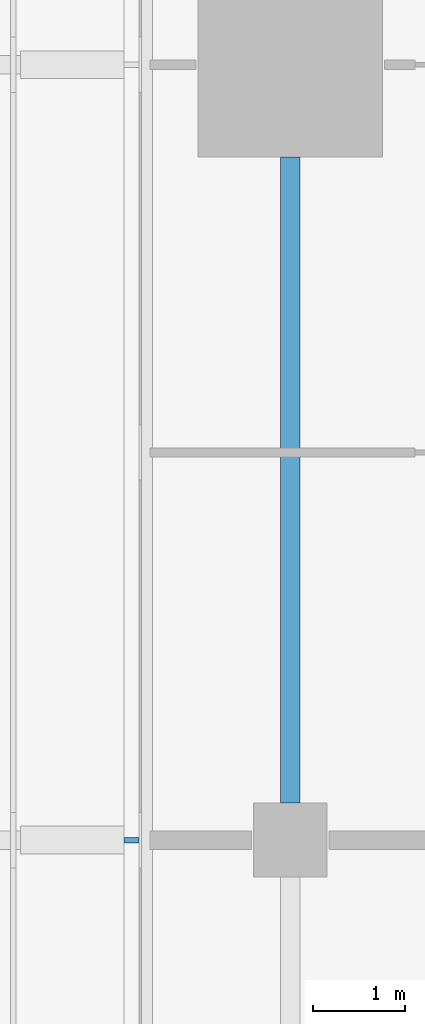
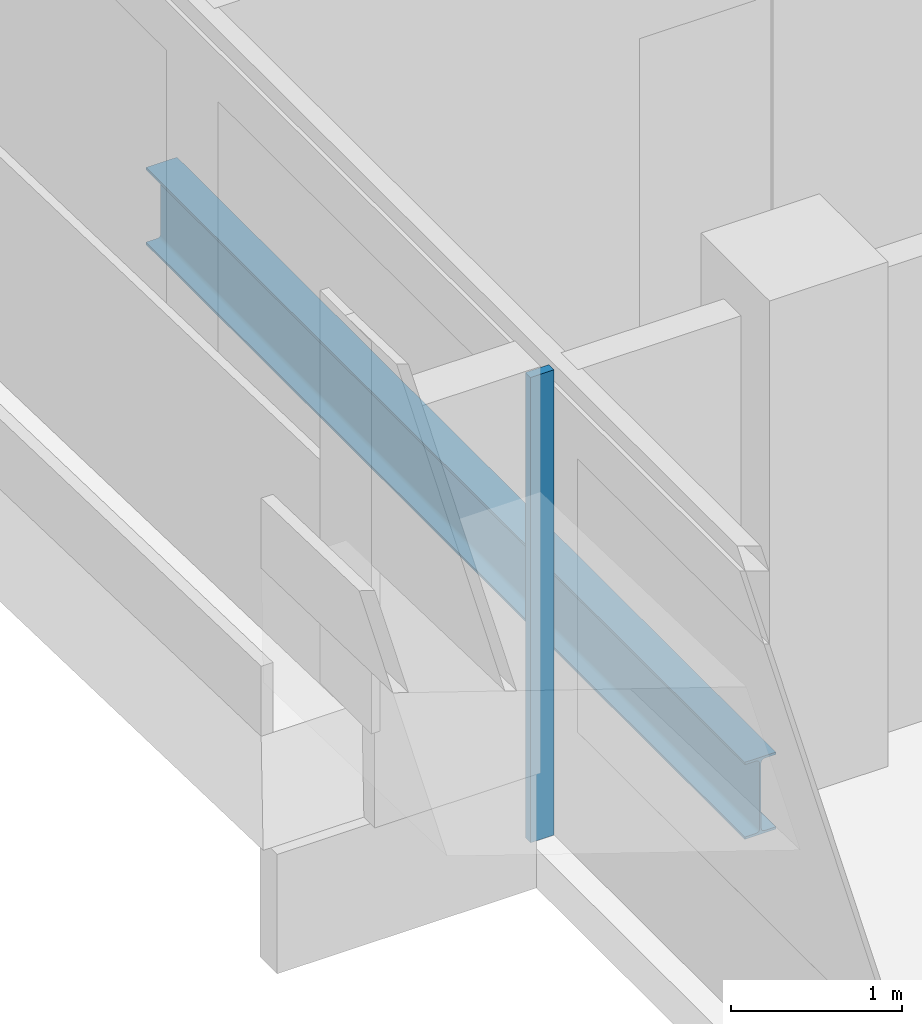
# One storey, part 4 of 27: 1 beam, 1 member, 1 element without a shape of its own.
"""IFC4 building model written with IfcOpenShell, lengths in metres."""

from ifc_helpers import new_model, si_unit, direction, frame, origin, origin_2d, place, context, subcontext, project, spatial, rectangle, i_section, extrude, material, material_profile, profile_set, type_object, element, aggregate, save


model = new_model("IFC4")

# Units and contexts
model_context = context("Model", 3, precision=1e-05, world=origin(), true_north=direction((0.0, 1.0)))
body_context = subcontext(model_context, "Body", "Model", "MODEL_VIEW")
ifc_project = project(units=[si_unit("LENGTHUNIT", "METRE"), si_unit("AREAUNIT", "SQUARE_METRE"), si_unit("VOLUMEUNIT", "CUBIC_METRE"), si_unit("PLANEANGLEUNIT", "RADIAN"), si_unit("MASSUNIT", "GRAM", prefix="KILO")], contexts=[model_context])

# Site, building, storey
site_placement = place(None, origin())
site = spatial("IfcSite", under=ifc_project, at=site_placement, CompositionType="ELEMENT")
building_placement = place(site_placement, origin())
building = spatial("IfcBuilding", under=site, at=building_placement, Name="Saffron Gate Tower", CompositionType="ELEMENT")
storey_placement = place(building_placement, frame((0.0, 0.0, 109.64990234375)))
storey = spatial("IfcBuildingStorey", under=building, at=storey_placement, Name="L25", CompositionType="ELEMENT", Elevation=109.64990234375)

# Beam
ifc_material_1 = material(Name="Structural steel S355", Category="steel")
ifc_material_profile_1 = material_profile(ifc_material_1, i_section(OverallWidth=0.2099609375, OverallDepth=0.550048828125, WebThickness=0.010986328125, FlangeThickness=0.01708984375, FilletRadius=0.02392578125, at=origin_2d()))
ifc_profile_set_1 = profile_set([ifc_material_profile_1], Name="Structural steel S355")
beam_type = type_object("IfcBeamType", Name="B13 IPE 550", PredefinedType="SPANDREL", material=ifc_profile_set_1)
beam_placement = place(storey_placement, frame((49.800048828125, 57.39990234375, -0.554931640625), z_axis=(0.0, 1.0, 0.0), x_axis=(-1.0, 0.0, 0.0)))
element("IfcBeam", 1, at=beam_placement, inside=storey, type_object=beam_type, Name="B13 SPANDREL BEAM", PredefinedType="SPANDREL", context=body_context, shape_type="SweptSolid", body=[
    extrude(i_section(OverallWidth=0.2099609375, OverallDepth=0.550048828125, WebThickness=0.010986328125, FlangeThickness=0.01708984375, FilletRadius=0.02392578125, at=origin_2d()), origin(), (0.0, 0.0, 1.0), 7.0),
])

# Curtain wall, member
ifc_material_2 = material(Name="Aluminium, bronze anodised", Category="aluminium")
curtain_wall_type = type_object("IfcCurtainWallType", Name="CWS2 curtain wall side facades", PredefinedType="NOTDEFINED", material=ifc_material_2)
curtain_wall_placement = place(storey_placement, origin())
curtain_wall = element("IfcCurtainWall", 2, at=curtain_wall_placement, inside=storey, type_object=curtain_wall_type, Name="CWS2 run 10", PredefinedType="NOTDEFINED")
ifc_material_profile_2 = material_profile(ifc_material_2, rectangle(XDim=0.159912109375, YDim=0.06005859375, at=origin_2d()))
ifc_profile_set_2 = profile_set([ifc_material_profile_2], Name="Aluminium, bronze anodised")
member_type = type_object("IfcMemberType", Name="CWS2 mullion 60x160", PredefinedType="MULLION", material=ifc_profile_set_2)
member_placement = place(storey_placement, frame((48.080078125, 57.0, 0.0), z_axis=(0.0, 0.0, 1.0), x_axis=(1.0, 0.0, 0.0)))
member = element("IfcMember", 3, at=member_placement, type_object=member_type, Name="CWS2 mullion 3", PredefinedType="MULLION", context=body_context, shape_type="SweptSolid", body=[
    extrude(rectangle(XDim=0.159912109375, YDim=0.06005859375, at=origin_2d()), origin(), (0.0, 0.0, 1.0), 3.320068359375),
])
aggregate(curtain_wall, [member])

save(model, "model.ifc")
